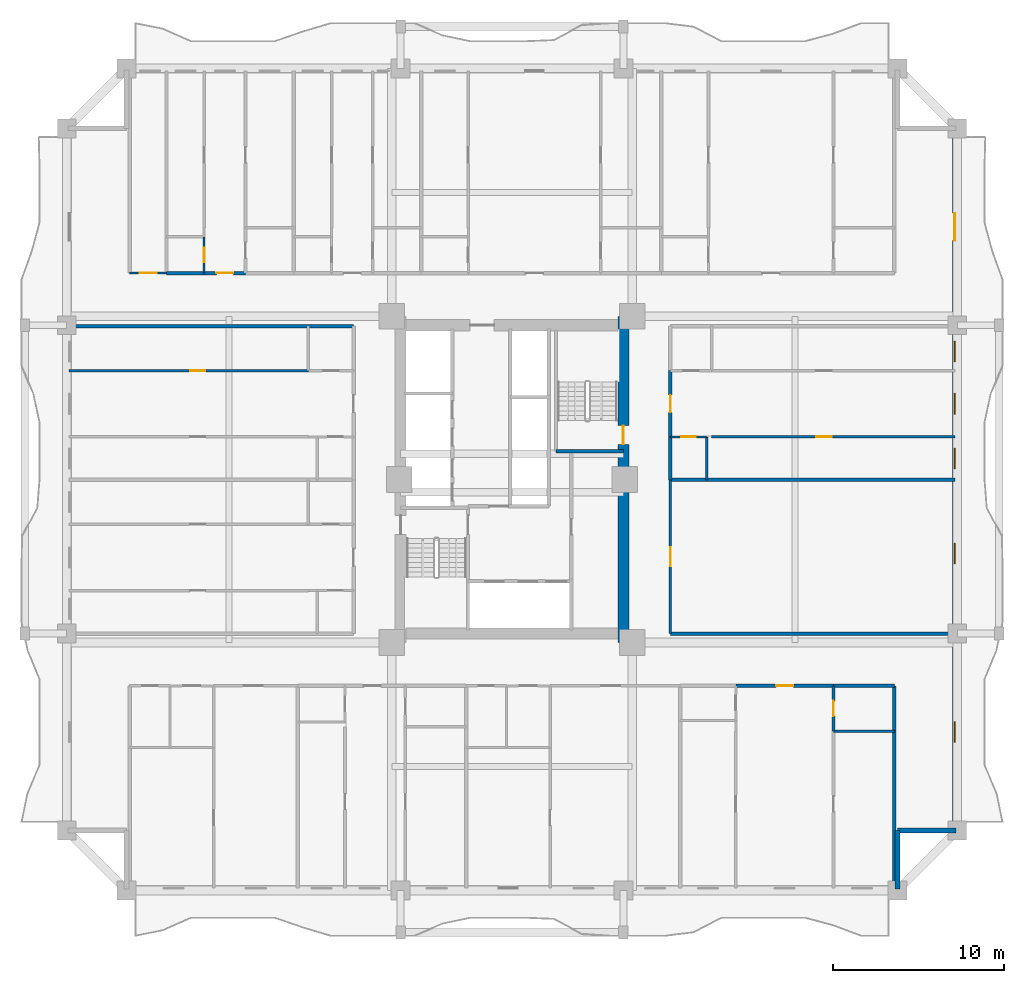
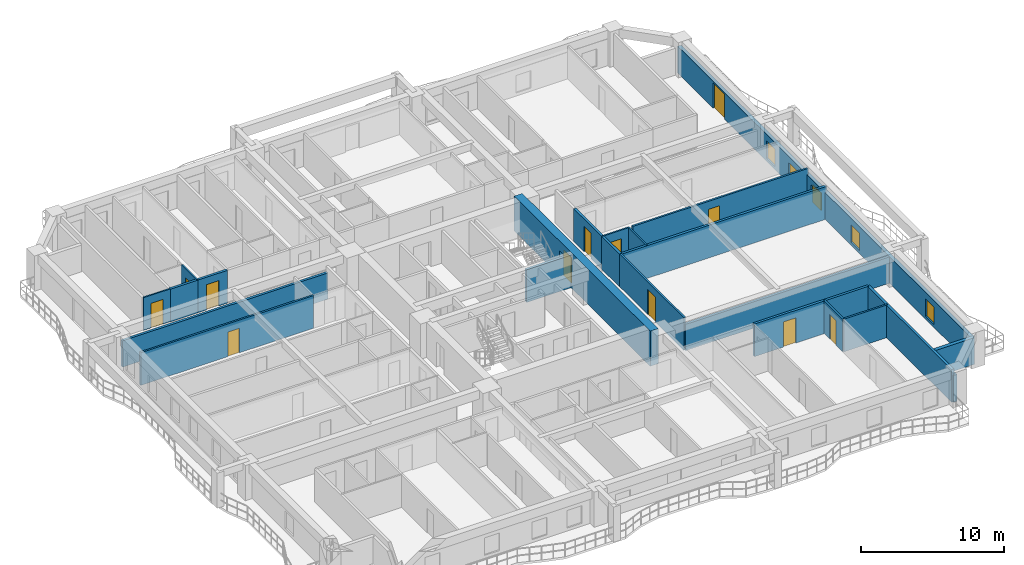
# One storey, part 5 of 15: 24 walls, 12 doors, 5 windows, 17 openings.
"""IFC4 building model written with IfcOpenShell, lengths in metres."""

from ifc_helpers import new_model, si_unit, direction, frame, frame_2d, origin, place, context, subcontext, project, spatial, rectangle, extrude, source, transform, mapped, material, layer, layer_set, type_object, element, fill, save


model = new_model("IFC4")

# Units and contexts
model_context = context("Model", 3, precision=1e-05, world=origin(), true_north=direction((0.0, 1.0)))
body_context = subcontext(model_context, "Body", "Model", "MODEL_VIEW")
ifc_project = project(units=[si_unit("LENGTHUNIT", "METRE"), si_unit("AREAUNIT", "SQUARE_METRE"), si_unit("VOLUMEUNIT", "CUBIC_METRE"), si_unit("PLANEANGLEUNIT", "RADIAN"), si_unit("MASSUNIT", "GRAM", prefix="KILO")], contexts=[model_context])

# Site, building, storey
site_placement = place(None, origin())
site = spatial("IfcSite", under=ifc_project, at=site_placement, CompositionType="ELEMENT")
building_placement = place(site_placement, origin())
building = spatial("IfcBuilding", under=site, at=building_placement, Name="Saelheon Loggia Tower", CompositionType="ELEMENT")
storey_placement = place(building_placement, frame((0.0, 0.0, 49.39990234375)))
storey = spatial("IfcBuildingStorey", under=building, at=storey_placement, Name="L15", CompositionType="ELEMENT", Elevation=49.39990234375)

# Wall, opening, door
ifc_material_1 = material(Name="Concrete C60/75", Category="concrete")
ifc_layer_1 = layer(ifc_material_1, 0.64990234375)
ifc_layer_set_1 = layer_set([ifc_layer_1], Name="Concrete C60/75")
wall_type_1 = type_object("IfcWallType", Name="Wall_CoreShear_650", PredefinedType="SHEAR", material=ifc_layer_set_1)
wall_1_placement = place(storey_placement, frame((44.5, 17.47998046875, 0.0), z_axis=(0.0, 0.0, 1.0), x_axis=(0.0, 1.0, 0.0)))
wall_1 = element("IfcWall", 1, at=wall_1_placement, inside=storey, type_object=wall_type_1, Name="L15 Core Shear Wall East", PredefinedType="SHEAR", context=body_context, shape_type="SweptSolid", body=[
    extrude(rectangle(XDim=19.0400390625, YDim=0.64990234375, at=frame_2d((9.52001953125, 0.0))), origin(), (0.0, 0.0, 1.0), 3.0),
])
opening_1_placement = place(wall_1_placement, frame((12.670166015625, 0.0, 0.0), z_axis=(0.0, 0.0, 1.0), x_axis=(-1.0, 0.0, 0.0)))
opening_1 = element("IfcOpeningElement", 2, at=opening_1_placement, cuts=wall_1, Name="Opening D-FD2", PredefinedType="OPENING", context=body_context, shape_type="SweptSolid", body=[
    extrude(rectangle(XDim=1.10009765625, YDim=2.14990234375, at=frame_2d((0.550048828125, 1.074951171875))), frame((0.0, 0.3369140625, 0.0), z_axis=(0.0, -1.0, 0.0), x_axis=(1.0, 0.0, 0.0)), (0.0, 0.0, 1.0), 0.673828125),
])
ifc_material_2 = material(Name="Galvanised Steel Fire Door", Category="steel")
door_type_1 = type_object("IfcDoorType", Name="Door_Fire_FD60_1100", OperationType="NOTDEFINED", PredefinedType="DOOR", material=ifc_material_2)
shared_shape_1 = source(origin(), body_context, "Body", "SweptSolid", [
    extrude(rectangle(XDim=1.10009765625, YDim=2.14990234375, at=frame_2d((0.550048828125, 1.074951171875))), frame((0.0, 0.02490234375, 0.0), z_axis=(0.0, -1.0, 0.0), x_axis=(1.0, 0.0, 0.0)), (0.0, 0.0, 1.0), 0.050048828125),
])
door_1_placement = place(opening_1_placement, origin())
door_1 = element("IfcDoor", 3, at=door_1_placement, inside=storey, type_object=door_type_1, Name="L15 Stair ST2 Corridor Door", OperationType="SINGLE_SWING_RIGHT", OverallHeight=2.14990234375, OverallWidth=1.10009765625, PredefinedType="DOOR", context=body_context, shape_type="MappedRepresentation", body=[
    mapped(shared_shape_1, transform((0.0, 0.0, 0.0), scale=1.0)),
])
fill(opening_1, door_1)

# Wall, openings, windows, door
ifc_material_3 = material(Name="Architectural Precast Concrete C40/50", Category="concrete")
ifc_layer_2 = layer(ifc_material_3, 0.280029296875)
ifc_layer_set_2 = layer_set([ifc_layer_2], Name="Architectural Precast Concrete C40/50")
wall_type_2 = type_object("IfcWallType", Name="Wall_Ext_Loggia_280", PredefinedType="SOLIDWALL", material=ifc_layer_set_2)
wall_2_placement = place(storey_placement, frame((63.860107421875, 6.5, 0.0), z_axis=(0.0, 0.0, 1.0), x_axis=(0.0, 1.0, 0.0)))
wall_2 = element("IfcWall", 4, at=wall_2_placement, inside=storey, type_object=wall_type_2, Name="L15 East Loggia Inner Wall", PredefinedType="SOLIDWALL", context=body_context, shape_type="SweptSolid", body=[
    extrude(rectangle(XDim=41.0, YDim=0.280029296875, at=frame_2d((20.5, 0.0))), origin(), (0.0, 0.0, 1.0), 2.280029296875),
])
opening_2_placement = place(wall_2_placement, frame((5.14990234375, 0.0, 0.25)))
opening_2 = element("IfcOpeningElement", 5, at=opening_2_placement, cuts=wall_2, Name="Opening WN-03", PredefinedType="OPENING", context=body_context, shape_type="SweptSolid", body=[
    extrude(rectangle(XDim=1.199951171875, YDim=1.5, at=frame_2d((0.60009765625, 0.75))), frame((0.0, 0.152099609375, 0.0), z_axis=(0.0, -1.0, 0.0), x_axis=(1.0, 0.0, 0.0)), (0.0, 0.0, 1.0), 0.303955078125),
])
opening_3_placement = place(wall_2_placement, frame((15.58251953125, 0.0, 0.25)))
opening_3 = element("IfcOpeningElement", 6, at=opening_3_placement, cuts=wall_2, Name="Opening WN-03", PredefinedType="OPENING", context=body_context, shape_type="SweptSolid", body=[
    extrude(rectangle(XDim=1.199951171875, YDim=1.5, at=frame_2d((0.60009765625, 0.75))), frame((0.0, 0.152099609375, 0.0), z_axis=(0.0, -1.0, 0.0), x_axis=(1.0, 0.0, 0.0)), (0.0, 0.0, 1.0), 0.303955078125),
])
opening_4_placement = place(wall_2_placement, frame((21.131591796875, 0.0, 0.25)))
opening_4 = element("IfcOpeningElement", 7, at=opening_4_placement, cuts=wall_2, Name="Opening WN-03", PredefinedType="OPENING", context=body_context, shape_type="SweptSolid", body=[
    extrude(rectangle(XDim=1.199951171875, YDim=1.5, at=frame_2d((0.60009765625, 0.75))), frame((0.0, 0.152099609375, 0.0), z_axis=(0.0, -1.0, 0.0), x_axis=(1.0, 0.0, 0.0)), (0.0, 0.0, 1.0), 0.303955078125),
])
opening_5_placement = place(wall_2_placement, frame((24.319091796875, 0.0, 0.25)))
opening_5 = element("IfcOpeningElement", 8, at=opening_5_placement, cuts=wall_2, Name="Opening WN-03", PredefinedType="OPENING", context=body_context, shape_type="SweptSolid", body=[
    extrude(rectangle(XDim=1.199951171875, YDim=1.5, at=frame_2d((0.60009765625, 0.75))), frame((0.0, 0.152099609375, 0.0), z_axis=(0.0, -1.0, 0.0), x_axis=(1.0, 0.0, 0.0)), (0.0, 0.0, 1.0), 0.303955078125),
])
opening_6_placement = place(wall_2_placement, frame((27.3798828125, 0.0, 0.25)))
opening_6 = element("IfcOpeningElement", 9, at=opening_6_placement, cuts=wall_2, Name="Opening WN-03", PredefinedType="OPENING", context=body_context, shape_type="SweptSolid", body=[
    extrude(rectangle(XDim=1.199951171875, YDim=1.5, at=frame_2d((0.60009765625, 0.75))), frame((0.0, 0.152099609375, 0.0), z_axis=(0.0, -1.0, 0.0), x_axis=(1.0, 0.0, 0.0)), (0.0, 0.0, 1.0), 0.303955078125),
])
opening_7_placement = place(wall_2_placement, frame((36.050048828125, 0.0, 0.0), z_axis=(0.0, 0.0, 1.0), x_axis=(-1.0, 0.0, 0.0)))
opening_7 = element("IfcOpeningElement", 10, at=opening_7_placement, cuts=wall_2, Name="Opening DLG-1", PredefinedType="OPENING", context=body_context, shape_type="SweptSolid", body=[
    extrude(rectangle(XDim=1.60009765625, YDim=2.14990234375, at=frame_2d((0.800048828125, 1.074951171875))), frame((0.0, 0.152099609375, 0.0), z_axis=(0.0, -1.0, 0.0), x_axis=(1.0, 0.0, 0.0)), (0.0, 0.0, 1.0), 0.303955078125),
])
ifc_material_4 = material(Name="Thermal-Break Aluminium and Triple Low-E Glass", Category="aluminium")
window_type = type_object("IfcWindowType", Name="Win_Bedroom_1200x1500", PartitioningType="SINGLE_PANEL", PredefinedType="WINDOW", material=ifc_material_4)
shared_shape_2 = source(origin(), body_context, "Body", "SweptSolid", [
    extrude(rectangle(XDim=1.199951171875, YDim=1.5, at=frame_2d((0.60009765625, 0.75))), frame((0.0, 0.030029296875, 0.0), z_axis=(0.0, -1.0, 0.0), x_axis=(1.0, 0.0, 0.0)), (0.0, 0.0, 1.0), 0.06005859375),
])
window_1_placement = place(opening_2_placement, origin())
window_1 = element("IfcWindow", 11, at=window_1_placement, inside=storey, type_object=window_type, Name="L15 E Dwelling Window 1", OverallHeight=1.5, OverallWidth=1.199951171875, PartitioningType="SINGLE_PANEL", PredefinedType="WINDOW", context=body_context, shape_type="MappedRepresentation", body=[
    mapped(shared_shape_2, transform((0.0, 0.0, 0.0), scale=1.0)),
])
fill(opening_2, window_1)
window_2_placement = place(opening_3_placement, origin())
window_2 = element("IfcWindow", 12, at=window_2_placement, inside=storey, type_object=window_type, Name="L15 E Dwelling Window 2", OverallHeight=1.5, OverallWidth=1.199951171875, PartitioningType="SINGLE_PANEL", PredefinedType="WINDOW", context=body_context, shape_type="MappedRepresentation", body=[
    mapped(shared_shape_2, transform((0.0, 0.0, 0.0), scale=1.0)),
])
fill(opening_3, window_2)
window_3_placement = place(opening_4_placement, origin())
window_3 = element("IfcWindow", 13, at=window_3_placement, inside=storey, type_object=window_type, Name="L15 E Dwelling Window 3", OverallHeight=1.5, OverallWidth=1.199951171875, PartitioningType="SINGLE_PANEL", PredefinedType="WINDOW", context=body_context, shape_type="MappedRepresentation", body=[
    mapped(shared_shape_2, transform((0.0, 0.0, 0.0), scale=1.0)),
])
fill(opening_4, window_3)
window_4_placement = place(opening_5_placement, origin())
window_4 = element("IfcWindow", 14, at=window_4_placement, inside=storey, type_object=window_type, Name="L15 E Dwelling Window 4", OverallHeight=1.5, OverallWidth=1.199951171875, PartitioningType="SINGLE_PANEL", PredefinedType="WINDOW", context=body_context, shape_type="MappedRepresentation", body=[
    mapped(shared_shape_2, transform((0.0, 0.0, 0.0), scale=1.0)),
])
fill(opening_5, window_4)
window_5_placement = place(opening_6_placement, origin())
window_5 = element("IfcWindow", 15, at=window_5_placement, inside=storey, type_object=window_type, Name="L15 E Dwelling Window 5", OverallHeight=1.5, OverallWidth=1.199951171875, PartitioningType="SINGLE_PANEL", PredefinedType="WINDOW", context=body_context, shape_type="MappedRepresentation", body=[
    mapped(shared_shape_2, transform((0.0, 0.0, 0.0), scale=1.0)),
])
fill(opening_6, window_5)
ifc_material_5 = material(Name="Thermal-Break Aluminium Sliding Glazed Door", Category="aluminium")
door_type_2 = type_object("IfcDoorType", Name="Door_LoggiaSlide_1600", OperationType="SLIDING_TO_LEFT", PredefinedType="DOOR", material=ifc_material_5)
shared_shape_3 = source(origin(), body_context, "Body", "SweptSolid", [
    extrude(rectangle(XDim=1.60009765625, YDim=2.14990234375, at=frame_2d((0.800048828125, 1.074951171875))), frame((0.0, 0.02490234375, 0.0), z_axis=(0.0, -1.0, 0.0), x_axis=(1.0, 0.0, 0.0)), (0.0, 0.0, 1.0), 0.050048828125),
])
door_2_placement = place(opening_7_placement, origin())
door_2 = element("IfcDoor", 16, at=door_2_placement, inside=storey, type_object=door_type_2, Name="L15 E Loggia Access Door", OperationType="SLIDING_TO_LEFT", OverallHeight=2.14990234375, OverallWidth=1.60009765625, PredefinedType="DOOR", context=body_context, shape_type="MappedRepresentation", body=[
    mapped(shared_shape_3, transform((0.0, 0.0, 0.0), scale=1.0)),
])
fill(opening_7, door_2)

# Walls
for number, where, z_axis, x_axis, name in (
    (17, (60.5, 3.080078125, 0.0), (0.0, 0.0, 1.0), (0.0, 1.0, 0.0), "L15 Corner Notch Precast Wall SE1"),
    (18, (60.5, 6.5, 0.0), (0.0, 0.0, 1.0), (1.0, 0.0, 0.0), "L15 Corner Notch Precast Wall SE2"),
):
    element("IfcWall", number, at=place(storey_placement, frame(where, z_axis=z_axis, x_axis=x_axis)), inside=storey, type_object=wall_type_2, Name=name, PredefinedType="SOLIDWALL", context=body_context, shape_type="SweptSolid", body=[
        extrude(rectangle(XDim=3.419921875, YDim=0.280029296875, at=frame_2d((1.7099609375, 0.0))), origin(), (0.0, 0.0, 1.0), 2.280029296875),
    ])
ifc_material_6 = material(Name="Lightweight Autoclaved Aerated Concrete Block and Acoustic Gypsum", Category="concrete")
ifc_layer_3 = layer(ifc_material_6, 0.14990234375)
ifc_layer_set_3 = layer_set([ifc_layer_3], Name="Lightweight Autoclaved Aerated Concrete Block and Acoustic Gypsum")
wall_type_3 = type_object("IfcWallType", Name="Wall_Part_150", PredefinedType="PARTITIONING", material=ifc_layer_set_3)
wall_3_placement = place(storey_placement, frame((56.77197265625, 12.31005859375, 0.0), z_axis=(0.0, 0.0, 1.0), x_axis=(1.0, 0.0, 0.0)))
element("IfcWall", 19, at=wall_3_placement, inside=storey, type_object=wall_type_3, Name="L15 S Partition V33", PredefinedType="PARTITIONING", context=body_context, shape_type="SweptSolid", body=[
    extrude(rectangle(XDim=3.548095703125, YDim=0.14990234375, at=frame_2d((1.77392578125, 0.0))), origin(), (0.0, 0.0, 1.0), 2.7900390625),
])

# Wall, opening, door
wall_4_placement = place(storey_placement, frame((56.77197265625, 14.949951171875, 0.0), z_axis=(0.0, 0.0, 1.0), x_axis=(0.0, -1.0, 0.0)))
wall_4 = element("IfcWall", 20, at=wall_4_placement, inside=storey, type_object=wall_type_3, Name="L15 S Partition U37", PredefinedType="PARTITIONING", context=body_context, shape_type="SweptSolid", body=[
    extrude(rectangle(XDim=2.639892578125, YDim=0.14990234375, at=frame_2d((1.31982421875, 0.0))), origin(), (0.0, 0.0, 1.0), 2.7900390625),
])
opening_8_placement = place(wall_4_placement, frame((0.8701171875, 0.0, 0.0)))
opening_8 = element("IfcOpeningElement", 21, at=opening_8_placement, cuts=wall_4, Name="Opening D-IN2", PredefinedType="OPENING", context=body_context, shape_type="SweptSolid", body=[
    extrude(rectangle(XDim=0.89990234375, YDim=2.10009765625, at=frame_2d((0.449951171875, 1.050048828125))), frame((0.0, 0.0869140625, 0.0), z_axis=(0.0, -1.0, 0.0), x_axis=(1.0, 0.0, 0.0)), (0.0, 0.0, 1.0), 0.173828125),
])
ifc_material_7 = material(Name="Engineered Oak Flush Door", Category="timber")
door_type_3 = type_object("IfcDoorType", Name="Door_Int_900", OperationType="NOTDEFINED", PredefinedType="DOOR", material=ifc_material_7)
shared_shape_4 = source(origin(), body_context, "Body", "SweptSolid", [
    extrude(rectangle(XDim=0.89990234375, YDim=2.10009765625, at=frame_2d((0.449951171875, 1.050048828125))), frame((0.0, 0.02490234375, 0.0), z_axis=(0.0, -1.0, 0.0), x_axis=(1.0, 0.0, 0.0)), (0.0, 0.0, 1.0), 0.050048828125),
])
door_3_placement = place(opening_8_placement, origin())
door_3 = element("IfcDoor", 22, at=door_3_placement, inside=storey, type_object=door_type_3, Name="Unit U02 Kitchen Door", OperationType="SINGLE_SWING_LEFT", OverallHeight=2.10009765625, OverallWidth=0.89990234375, PredefinedType="DOOR", context=body_context, shape_type="MappedRepresentation", body=[
    mapped(shared_shape_4, transform((0.0, 0.0, 0.0), scale=1.0)),
])
fill(opening_8, door_3)

wall_5_placement = place(storey_placement, frame((26.110107421875, 33.35009765625, 0.0), z_axis=(0.0, 0.0, 1.0), x_axis=(-1.0, 0.0, 0.0)))
wall_5 = element("IfcWall", 23, at=wall_5_placement, inside=storey, type_object=wall_type_3, Name="L15 W Partition U23", PredefinedType="PARTITIONING", context=body_context, shape_type="SweptSolid", body=[
    extrude(rectangle(XDim=13.960205078125, YDim=0.14990234375, at=frame_2d((6.97998046875, 0.0))), origin(), (0.0, 0.0, 1.0), 2.7900390625),
])
opening_9_placement = place(wall_5_placement, frame((6.005859375, 0.0, 0.0)))
opening_9 = element("IfcOpeningElement", 24, at=opening_9_placement, cuts=wall_5, Name="Opening D-IN2", PredefinedType="OPENING", context=body_context, shape_type="SweptSolid", body=[
    extrude(rectangle(XDim=0.89990234375, YDim=2.10009765625, at=frame_2d((0.449951171875, 1.050048828125))), frame((0.0, 0.0869140625, 0.0), z_axis=(0.0, -1.0, 0.0), x_axis=(1.0, 0.0, 0.0)), (0.0, 0.0, 1.0), 0.173828125),
])
door_4_placement = place(opening_9_placement, origin())
door_4 = element("IfcDoor", 25, at=door_4_placement, inside=storey, type_object=door_type_3, Name="Unit U08 Bedroom 1 Door", OperationType="SINGLE_SWING_LEFT", OverallHeight=2.10009765625, OverallWidth=0.89990234375, PredefinedType="DOOR", context=body_context, shape_type="MappedRepresentation", body=[
    mapped(shared_shape_4, transform((0.0, 0.0, 0.0), scale=1.0)),
])
fill(opening_9, door_4)

wall_6_placement = place(storey_placement, frame((47.25, 18.0, 0.0), z_axis=(0.0, 0.0, 1.0), x_axis=(0.0, 1.0, 0.0)))
wall_6 = element("IfcWall", 26, at=wall_6_placement, inside=storey, type_object=wall_type_3, Name="L15 E Partition V03", PredefinedType="PARTITIONING", context=body_context, shape_type="SweptSolid", body=[
    extrude(rectangle(XDim=8.97509765625, YDim=0.14990234375, at=frame_2d((4.487548828125, 0.0))), origin(), (0.0, 0.0, 1.0), 2.7900390625),
])
opening_10_placement = place(wall_6_placement, frame((3.9375, 0.0, 0.0)))
opening_10 = element("IfcOpeningElement", 27, at=opening_10_placement, cuts=wall_6, Name="Opening D-FD2", PredefinedType="OPENING", context=body_context, shape_type="SweptSolid", body=[
    extrude(rectangle(XDim=1.10009765625, YDim=2.14990234375, at=frame_2d((0.550048828125, 1.074951171875))), frame((0.0, 0.0869140625, 0.0), z_axis=(0.0, -1.0, 0.0), x_axis=(1.0, 0.0, 0.0)), (0.0, 0.0, 1.0), 0.173828125),
])
door_5_placement = place(opening_10_placement, origin())
door_5 = element("IfcDoor", 28, at=door_5_placement, inside=storey, type_object=door_type_1, Name="L15 Community Wellness Activity Hall Door A", OperationType="SINGLE_SWING_RIGHT", OverallHeight=2.14990234375, OverallWidth=1.10009765625, PredefinedType="DOOR", context=body_context, shape_type="MappedRepresentation", body=[
    mapped(shared_shape_1, transform((0.0, 0.0, 0.0), scale=1.0)),
])
fill(opening_10, door_5)

wall_7_placement = place(storey_placement, frame((49.64990234375, 29.488037109375, 0.0), z_axis=(0.0, 0.0, 1.0), x_axis=(1.0, 0.0, 0.0)))
wall_7 = element("IfcWall", 29, at=wall_7_placement, inside=storey, type_object=wall_type_3, Name="L15 E Partition U11", PredefinedType="PARTITIONING", context=body_context, shape_type="SweptSolid", body=[
    extrude(rectangle(XDim=14.2001953125, YDim=0.14990234375, at=frame_2d((7.10009765625, 0.0))), origin(), (0.0, 0.0, 1.0), 2.7900390625),
])
opening_11_placement = place(wall_7_placement, frame((6.11572265625, 0.0, 0.0)))
opening_11 = element("IfcOpeningElement", 30, at=opening_11_placement, cuts=wall_7, Name="Opening D-IN2", PredefinedType="OPENING", context=body_context, shape_type="SweptSolid", body=[
    extrude(rectangle(XDim=0.89990234375, YDim=2.10009765625, at=frame_2d((0.449951171875, 1.050048828125))), frame((0.0, 0.0869140625, 0.0), z_axis=(0.0, -1.0, 0.0), x_axis=(1.0, 0.0, 0.0)), (0.0, 0.0, 1.0), 0.173828125),
])
door_6_placement = place(opening_11_placement, origin())
door_6 = element("IfcDoor", 31, at=door_6_placement, inside=storey, type_object=door_type_3, Name="Unit U09 Kitchen Door", OperationType="SINGLE_SWING_LEFT", OverallHeight=2.10009765625, OverallWidth=0.89990234375, PredefinedType="DOOR", context=body_context, shape_type="MappedRepresentation", body=[
    mapped(shared_shape_4, transform((0.0, 0.0, 0.0), scale=1.0)),
])
fill(opening_11, door_6)

# Wall
ifc_material_8 = material(Name="Double Acoustic Stud and Fireboard Partition", Category="gypsum")
ifc_layer_4 = layer(ifc_material_8, 0.199951171875)
ifc_layer_set_4 = layer_set([ifc_layer_4], Name="Double Acoustic Stud and Fireboard Partition")
wall_type_4 = type_object("IfcWallType", Name="Wall_Party_200", PredefinedType="PARTITIONING", material=ifc_layer_set_4)
wall_8_placement = place(storey_placement, frame((60.320068359375, 14.949951171875, 0.0), z_axis=(0.0, 0.0, 1.0), x_axis=(0.0, -1.0, 0.0)))
element("IfcWall", 32, at=wall_8_placement, inside=storey, type_object=wall_type_4, Name="L15 S Partition U02", PredefinedType="PARTITIONING", context=body_context, shape_type="SweptSolid", body=[
    extrude(rectangle(XDim=11.800048828125, YDim=0.199951171875, at=frame_2d((5.89990234375, 0.0))), origin(), (0.0, 0.0, 1.0), 2.7900390625),
])

# Wall, opening, door
wall_9_placement = place(storey_placement, frame((51.070556640625, 14.949951171875, 0.0), z_axis=(0.0, 0.0, 1.0), x_axis=(1.0, 0.0, 0.0)))
wall_9 = element("IfcWall", 33, at=wall_9_placement, inside=storey, type_object=wall_type_4, Name="L15 S Partition V30", PredefinedType="PARTITIONING", context=body_context, shape_type="SweptSolid", body=[
    extrude(rectangle(XDim=5.701416015625, YDim=0.199951171875, at=frame_2d((2.8505859375, 0.0))), origin(), (0.0, 0.0, 1.0), 2.7900390625),
])
opening_12_placement = place(wall_9_placement, frame((2.3505859375, 0.0, 0.0)))
opening_12 = element("IfcOpeningElement", 34, at=opening_12_placement, cuts=wall_9, Name="Opening D-FD1", PredefinedType="OPENING", context=body_context, shape_type="SweptSolid", body=[
    extrude(rectangle(XDim=1.0, YDim=2.14990234375, at=frame_2d((0.5, 1.074951171875))), frame((0.0, 0.112060546875, 0.0), z_axis=(0.0, -1.0, 0.0), x_axis=(1.0, 0.0, 0.0)), (0.0, 0.0, 1.0), 0.223876953125),
])
ifc_material_9 = material(Name="Fire-Rated Engineered Timber Entrance Door", Category="wood")
door_type_4 = type_object("IfcDoorType", Name="Door_Flat_FD30S", OperationType="NOTDEFINED", PredefinedType="DOOR", material=ifc_material_9)
shared_shape_5 = source(origin(), body_context, "Body", "SweptSolid", [
    extrude(rectangle(XDim=1.0, YDim=2.14990234375, at=frame_2d((0.5, 1.074951171875))), frame((0.0, 0.02490234375, 0.0), z_axis=(0.0, -1.0, 0.0), x_axis=(1.0, 0.0, 0.0)), (0.0, 0.0, 1.0), 0.050048828125),
])
door_7_placement = place(opening_12_placement, origin())
door_7 = element("IfcDoor", 35, at=door_7_placement, inside=storey, type_object=door_type_4, Name="Unit U02 Entrance Door", OperationType="SINGLE_SWING_RIGHT", OverallHeight=2.14990234375, OverallWidth=1.0, PredefinedType="DOOR", context=body_context, shape_type="MappedRepresentation", body=[
    mapped(shared_shape_5, transform((0.0, 0.0, 0.0), scale=1.0)),
])
fill(opening_12, door_7)

# Walls
wall_10_placement = place(storey_placement, frame((56.77197265625, 14.949951171875, 0.0), z_axis=(0.0, 0.0, 1.0), x_axis=(1.0, 0.0, 0.0)))
element("IfcWall", 36, at=wall_10_placement, inside=storey, type_object=wall_type_4, Name="L15 S Partition V31", PredefinedType="PARTITIONING", context=body_context, shape_type="SweptSolid", body=[
    extrude(rectangle(XDim=3.548095703125, YDim=0.199951171875, at=frame_2d((1.77392578125, 0.0))), origin(), (0.0, 0.0, 1.0), 2.7900390625),
])
wall_11_placement = place(storey_placement, frame((17.830078125, 39.050048828125, 0.0), z_axis=(0.0, 0.0, 1.0), x_axis=(1.0, 0.0, 0.0)))
element("IfcWall", 37, at=wall_11_placement, inside=storey, type_object=wall_type_4, Name="L15 N Partition V05", PredefinedType="PARTITIONING", context=body_context, shape_type="SweptSolid", body=[
    extrude(rectangle(XDim=2.199951171875, YDim=0.199951171875, at=frame_2d((1.10009765625, 0.0))), origin(), (0.0, 0.0, 1.0), 2.7900390625),
])

# Wall, opening, door
wall_12_placement = place(storey_placement, frame((20.030029296875, 39.050048828125, 0.0), z_axis=(0.0, 0.0, 1.0), x_axis=(1.0, 0.0, 0.0)))
wall_12 = element("IfcWall", 38, at=wall_12_placement, inside=storey, type_object=wall_type_4, Name="L15 N Partition V06", PredefinedType="PARTITIONING", context=body_context, shape_type="SweptSolid", body=[
    extrude(rectangle(XDim=2.41015625, YDim=0.199951171875, at=frame_2d((1.205078125, 0.0))), origin(), (0.0, 0.0, 1.0), 2.7900390625),
])
opening_13_placement = place(wall_12_placement, frame((0.705078125, 0.0, 0.0)))
opening_13 = element("IfcOpeningElement", 39, at=opening_13_placement, cuts=wall_12, Name="Opening D-FD1", PredefinedType="OPENING", context=body_context, shape_type="SweptSolid", body=[
    extrude(rectangle(XDim=1.0, YDim=2.14990234375, at=frame_2d((0.5, 1.074951171875))), frame((0.0, 0.112060546875, 0.0), z_axis=(0.0, -1.0, 0.0), x_axis=(1.0, 0.0, 0.0)), (0.0, 0.0, 1.0), 0.223876953125),
])
door_8_placement = place(opening_13_placement, origin())
door_8 = element("IfcDoor", 40, at=door_8_placement, inside=storey, type_object=door_type_4, Name="Unit U03 Entrance Door", OperationType="SINGLE_SWING_RIGHT", OverallHeight=2.14990234375, OverallWidth=1.0, PredefinedType="DOOR", context=body_context, shape_type="MappedRepresentation", body=[
    mapped(shared_shape_5, transform((0.0, 0.0, 0.0), scale=1.0)),
])
fill(opening_13, door_8)

# Walls
for number, where, z_axis, x_axis, name in (
    (41, (28.75, 35.949951171875, 0.0), (0.0, 0.0, 1.0), (-1.0, 0.0, 0.0), "L15 W Partition U02"),
    (42, (47.25, 18.0, 0.0), (0.0, 0.0, 1.0), (1.0, 0.0, 0.0), "L15 E Partition U01"),
):
    element("IfcWall", number, at=place(storey_placement, frame(where, z_axis=z_axis, x_axis=x_axis)), inside=storey, type_object=wall_type_4, Name=name, PredefinedType="PARTITIONING", context=body_context, shape_type="SweptSolid", body=[
        extrude(rectangle(XDim=16.60009765625, YDim=0.199951171875, at=frame_2d((8.300048828125, 0.0))), origin(), (0.0, 0.0, 1.0), 2.239990234375),
    ])
wall_13_placement = place(storey_placement, frame((47.25, 26.97509765625, 0.0), z_axis=(0.0, 0.0, 1.0), x_axis=(1.0, 0.0, 0.0)))
element("IfcWall", 43, at=wall_13_placement, inside=storey, type_object=wall_type_4, Name="L15 E Partition U04", PredefinedType="PARTITIONING", context=body_context, shape_type="SweptSolid", body=[
    extrude(rectangle(XDim=16.60009765625, YDim=0.199951171875, at=frame_2d((8.300048828125, 0.0))), origin(), (0.0, 0.0, 1.0), 2.7900390625),
])
wall_14_placement = place(storey_placement, frame((47.25, 26.97509765625, 0.0), z_axis=(0.0, 0.0, 1.0), x_axis=(0.0, 1.0, 0.0)))
element("IfcWall", 44, at=wall_14_placement, inside=storey, type_object=wall_type_4, Name="L15 E Partition V05", PredefinedType="PARTITIONING", context=body_context, shape_type="SweptSolid", body=[
    extrude(rectangle(XDim=2.512939453125, YDim=0.199951171875, at=frame_2d((1.25634765625, 0.0))), origin(), (0.0, 0.0, 1.0), 2.7900390625),
])

# Wall, opening, door
wall_15_placement = place(storey_placement, frame((47.25, 29.488037109375, 0.0), z_axis=(0.0, 0.0, 1.0), x_axis=(0.0, 1.0, 0.0)))
wall_15 = element("IfcWall", 45, at=wall_15_placement, inside=storey, type_object=wall_type_4, Name="L15 E Partition V06", PredefinedType="PARTITIONING", context=body_context, shape_type="SweptSolid", body=[
    extrude(rectangle(XDim=3.862060546875, YDim=0.199951171875, at=frame_2d((1.93115234375, 0.0))), origin(), (0.0, 0.0, 1.0), 2.7900390625),
])
opening_14_placement = place(wall_15_placement, frame((1.430908203125, 0.0, 0.0)))
opening_14 = element("IfcOpeningElement", 46, at=opening_14_placement, cuts=wall_15, Name="Opening D-FD1", PredefinedType="OPENING", context=body_context, shape_type="SweptSolid", body=[
    extrude(rectangle(XDim=1.0, YDim=2.14990234375, at=frame_2d((0.5, 1.074951171875))), frame((0.0, 0.112060546875, 0.0), z_axis=(0.0, -1.0, 0.0), x_axis=(1.0, 0.0, 0.0)), (0.0, 0.0, 1.0), 0.223876953125),
])
door_9_placement = place(opening_14_placement, origin())
door_9 = element("IfcDoor", 47, at=door_9_placement, inside=storey, type_object=door_type_4, Name="Unit U09 Entrance Door", OperationType="SINGLE_SWING_LEFT", OverallHeight=2.14990234375, OverallWidth=1.0, PredefinedType="DOOR", context=body_context, shape_type="MappedRepresentation", body=[
    mapped(shared_shape_5, transform((0.0, 0.0, 0.0), scale=1.0)),
])
fill(opening_14, door_9)

# Wall
ifc_material_10 = material(Name="Concrete C45/55", Category="concrete")
ifc_layer_5 = layer(ifc_material_10, 0.199951171875)
ifc_layer_set_5 = layer_set([ifc_layer_5], Name="Concrete C45/55")
wall_type_5 = type_object("IfcWallType", Name="Wall_StairShaft_RC200", PredefinedType="SOLIDWALL", material=ifc_layer_set_5)
wall_16_placement = place(storey_placement, frame((40.570068359375, 28.64990234375, 0.0), z_axis=(0.0, 0.0, 1.0), x_axis=(1.0, 0.0, 0.0)))
element("IfcWall", 48, at=wall_16_placement, inside=storey, type_object=wall_type_5, Name="L15 Stair ST2 South Wall", PredefinedType="SOLIDWALL", context=body_context, shape_type="SweptSolid", body=[
    extrude(rectangle(XDim=3.929931640625, YDim=0.199951171875, at=frame_2d((1.96484375, 0.0))), origin(), (0.0, 0.0, 1.0), 2.7900390625),
])

# Wall, opening, door
ifc_material_11 = material(Name="Moisture-Resistant Cement Board Partition", Category="gypsum")
ifc_layer_6 = layer(ifc_material_11, 0.1201171875)
ifc_layer_set_6 = layer_set([ifc_layer_6], Name="Moisture-Resistant Cement Board Partition")
wall_type_6 = type_object("IfcWallType", Name="Wall_WetPart_120", PredefinedType="PARTITIONING", material=ifc_layer_set_6)
wall_17_placement = place(storey_placement, frame((15.679931640625, 39.050048828125, 0.0), z_axis=(0.0, 0.0, 1.0), x_axis=(1.0, 0.0, 0.0)))
wall_17 = element("IfcWall", 49, at=wall_17_placement, inside=storey, type_object=wall_type_6, Name="L15 N Partition V04", PredefinedType="PARTITIONING", context=body_context, shape_type="SweptSolid", body=[
    extrude(rectangle(XDim=2.150146484375, YDim=0.1201171875, at=frame_2d((1.0751953125, 0.0))), origin(), (0.0, 0.0, 1.0), 2.7900390625),
])
opening_15_placement = place(wall_17_placement, frame((0.574951171875, 0.0, 0.0)))
opening_15 = element("IfcOpeningElement", 50, at=opening_15_placement, cuts=wall_17, Name="Opening D-AC1", PredefinedType="OPENING", context=body_context, shape_type="SweptSolid", body=[
    extrude(rectangle(XDim=1.0, YDim=2.10009765625, at=frame_2d((0.5, 1.050048828125))), frame((0.0, 0.072021484375, 0.0), z_axis=(0.0, -1.0, 0.0), x_axis=(1.0, 0.0, 0.0)), (0.0, 0.0, 1.0), 0.14404296875),
])
ifc_material_12 = material(Name="Accessible Laminate Flush Door", Category="timber")
door_type_5 = type_object("IfcDoorType", Name="Door_Acc_1000", OperationType="NOTDEFINED", PredefinedType="DOOR", material=ifc_material_12)
shared_shape_6 = source(origin(), body_context, "Body", "SweptSolid", [
    extrude(rectangle(XDim=1.0, YDim=2.10009765625, at=frame_2d((0.5, 1.050048828125))), frame((0.0, 0.02490234375, 0.0), z_axis=(0.0, -1.0, 0.0), x_axis=(1.0, 0.0, 0.0)), (0.0, 0.0, 1.0), 0.050048828125),
])
door_10_placement = place(opening_15_placement, origin())
door_10 = element("IfcDoor", 51, at=door_10_placement, inside=storey, type_object=door_type_5, Name="L15 Floor Accessible WC Door", OperationType="SINGLE_SWING_LEFT", OverallHeight=2.10009765625, OverallWidth=1.0, PredefinedType="DOOR", context=body_context, shape_type="MappedRepresentation", body=[
    mapped(shared_shape_6, transform((0.0, 0.0, 0.0), scale=1.0)),
])
fill(opening_15, door_10)

wall_18_placement = place(storey_placement, frame((20.030029296875, 39.050048828125, 0.0), z_axis=(0.0, 0.0, 1.0), x_axis=(0.0, 1.0, 0.0)))
wall_18 = element("IfcWall", 52, at=wall_18_placement, inside=storey, type_object=wall_type_6, Name="L15 N Partition U10", PredefinedType="PARTITIONING", context=body_context, shape_type="SweptSolid", body=[
    extrude(rectangle(XDim=2.119873046875, YDim=0.1201171875, at=frame_2d((1.06005859375, 0.0))), origin(), (0.0, 0.0, 1.0), 2.7900390625),
])
opening_16_placement = place(wall_18_placement, frame((0.635009765625, 0.0, 0.0)))
opening_16 = element("IfcOpeningElement", 53, at=opening_16_placement, cuts=wall_18, Name="Opening D-BT1", PredefinedType="OPENING", context=body_context, shape_type="SweptSolid", body=[
    extrude(rectangle(XDim=0.85009765625, YDim=2.050048828125, at=frame_2d((0.425048828125, 1.02490234375))), frame((0.0, 0.072021484375, 0.0), z_axis=(0.0, -1.0, 0.0), x_axis=(1.0, 0.0, 0.0)), (0.0, 0.0, 1.0), 0.14404296875),
])
ifc_material_13 = material(Name="Moisture-Resistant Laminate Timber Door", Category="wood")
door_type_6 = type_object("IfcDoorType", Name="Door_Bath_850", OperationType="NOTDEFINED", PredefinedType="DOOR", material=ifc_material_13)
shared_shape_7 = source(origin(), body_context, "Body", "SweptSolid", [
    extrude(rectangle(XDim=0.85009765625, YDim=2.050048828125, at=frame_2d((0.425048828125, 1.02490234375))), frame((0.0, 0.02490234375, 0.0), z_axis=(0.0, -1.0, 0.0), x_axis=(1.0, 0.0, 0.0)), (0.0, 0.0, 1.0), 0.050048828125),
])
door_11_placement = place(opening_16_placement, origin())
door_11 = element("IfcDoor", 54, at=door_11_placement, inside=storey, type_object=door_type_6, Name="Unit U03 Bathroom Door", OperationType="SINGLE_SWING_LEFT", OverallHeight=2.050048828125, OverallWidth=0.85009765625, PredefinedType="DOOR", context=body_context, shape_type="MappedRepresentation", body=[
    mapped(shared_shape_7, transform((0.0, 0.0, 0.0), scale=1.0)),
])
fill(opening_16, door_11)

# Wall
wall_19_placement = place(storey_placement, frame((49.3701171875, 26.97509765625, 0.0), z_axis=(0.0, 0.0, 1.0), x_axis=(0.0, 1.0, 0.0)))
element("IfcWall", 55, at=wall_19_placement, inside=storey, type_object=wall_type_6, Name="L15 E Partition V08", PredefinedType="PARTITIONING", context=body_context, shape_type="SweptSolid", body=[
    extrude(rectangle(XDim=2.512939453125, YDim=0.1201171875, at=frame_2d((1.25634765625, 0.0))), origin(), (0.0, 0.0, 1.0), 2.7900390625),
])

# Wall, opening, door
wall_20_placement = place(storey_placement, frame((47.25, 29.488037109375, 0.0), z_axis=(0.0, 0.0, 1.0), x_axis=(1.0, 0.0, 0.0)))
wall_20 = element("IfcWall", 56, at=wall_20_placement, inside=storey, type_object=wall_type_6, Name="L15 E Partition U10", PredefinedType="PARTITIONING", context=body_context, shape_type="SweptSolid", body=[
    extrude(rectangle(XDim=2.1201171875, YDim=0.1201171875, at=frame_2d((1.06005859375, 0.0))), origin(), (0.0, 0.0, 1.0), 2.7900390625),
])
opening_17_placement = place(wall_20_placement, frame((0.635009765625, 0.0, 0.0)))
opening_17 = element("IfcOpeningElement", 57, at=opening_17_placement, cuts=wall_20, Name="Opening D-BT1", PredefinedType="OPENING", context=body_context, shape_type="SweptSolid", body=[
    extrude(rectangle(XDim=0.85009765625, YDim=2.050048828125, at=frame_2d((0.425048828125, 1.02490234375))), frame((0.0, 0.072021484375, 0.0), z_axis=(0.0, -1.0, 0.0), x_axis=(1.0, 0.0, 0.0)), (0.0, 0.0, 1.0), 0.14404296875),
])
door_12_placement = place(opening_17_placement, origin())
door_12 = element("IfcDoor", 58, at=door_12_placement, inside=storey, type_object=door_type_6, Name="Unit U09 Bathroom Door", OperationType="SINGLE_SWING_RIGHT", OverallHeight=2.050048828125, OverallWidth=0.85009765625, PredefinedType="DOOR", context=body_context, shape_type="MappedRepresentation", body=[
    mapped(shared_shape_7, transform((0.0, 0.0, 0.0), scale=1.0)),
])
fill(opening_17, door_12)

save(model, "model.ifc")
